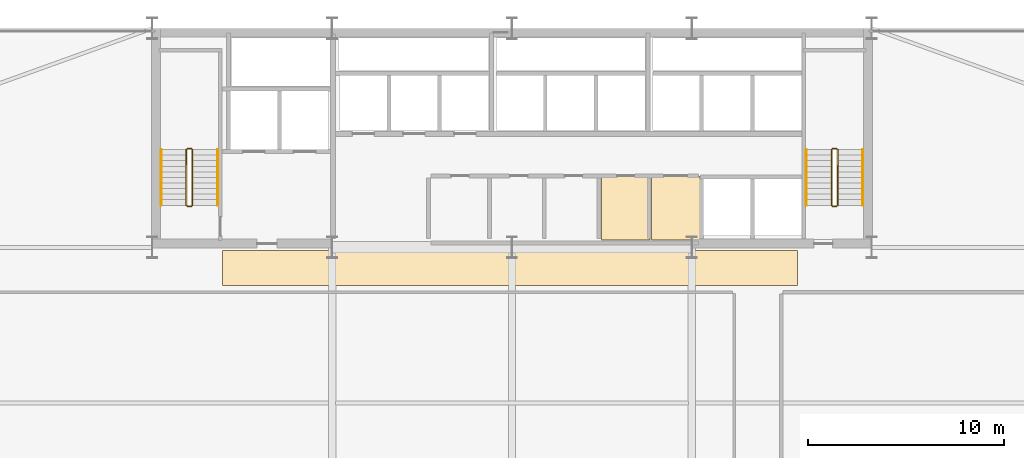
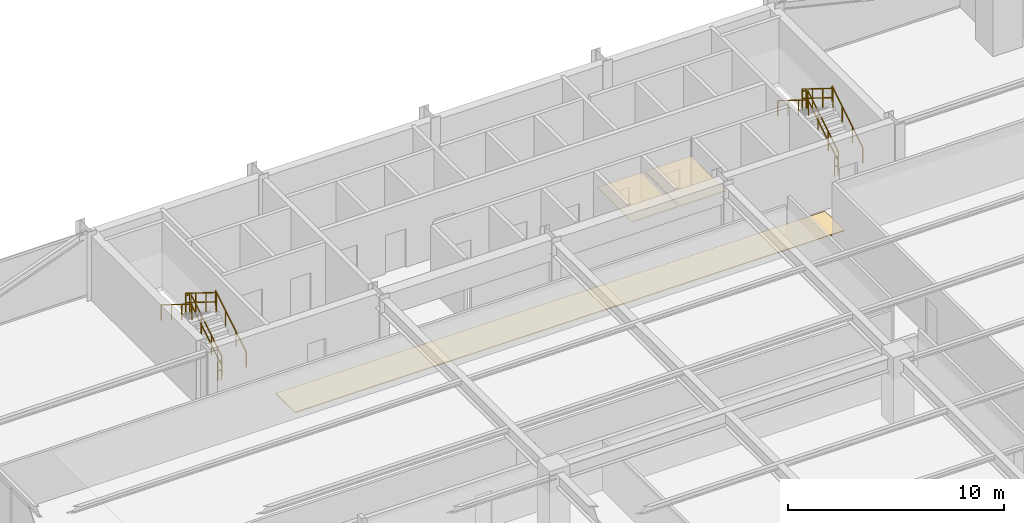
# One storey, part 31 of 31: 12 railings, 3 coverings.
"""IFC4 building model written with IfcOpenShell, lengths in metres."""

from ifc_helpers import new_model, si_unit, direction, frame, origin, origin_2d, place, context, subcontext, project, spatial, polyline, rectangle, outline, extrude, material, layer, layer_set, type_object, element, save


model = new_model("IFC4")

# Units and contexts
model_context = context("Model", 3, precision=1e-05, world=origin(), true_north=direction((0.0, 1.0)))
body_context = subcontext(model_context, "Body", "Model", "MODEL_VIEW")
ifc_project = project(units=[si_unit("LENGTHUNIT", "METRE"), si_unit("AREAUNIT", "SQUARE_METRE"), si_unit("VOLUMEUNIT", "CUBIC_METRE"), si_unit("PLANEANGLEUNIT", "RADIAN"), si_unit("MASSUNIT", "GRAM", prefix="KILO")], contexts=[model_context])

# Site, building, storey
site_placement = place(None, origin())
site = spatial("IfcSite", under=ifc_project, at=site_placement, CompositionType="ELEMENT")
building_placement = place(site_placement, origin())
building = spatial("IfcBuilding", under=site, at=building_placement, Name="Varnel Quay Broadcast Tower", CompositionType="ELEMENT")
storey_placement = place(building_placement, frame((0.0, 0.0, 51.0)))
storey = spatial("IfcBuildingStorey", under=building, at=storey_placement, Name="L11", CompositionType="ELEMENT", Elevation=51.0)

# Coverings
ifc_material_1 = material(Name="Micro-Perforated Acoustic Ceiling Tile")
ifc_layer_1 = layer(ifc_material_1, 0.0400390625, Name="Micro-Perforated Acoustic Ceiling Tile")
ifc_layer_set_1 = layer_set([ifc_layer_1], Name="Micro-Perforated Acoustic Ceiling Tile")
covering_type_1 = type_object("IfcCoveringType", Name="Cov_AcousticCeiling", PredefinedType="CEILING", material=ifc_layer_set_1)
covering_1_placement = place(storey_placement, frame((0.0, 0.0, 2.580078125)))
element("IfcCovering", 1, at=covering_1_placement, inside=storey, type_object=covering_type_1, Name="L11 Cleaners' & Linen Store Acoustic Ceiling", PredefinedType="CEILING", context=body_context, shape_type="SweptSolid", body=[
    extrude(outline(polyline([(38.5849609375, 35.985107421875), (41.06494140625, 35.985107421875), (41.06494140625, 39.215087890625), (38.5849609375, 39.215087890625), (38.5849609375, 35.985107421875)])), origin(), (0.0, 0.0, 1.0), 0.0400390625),
])
covering_2_placement = place(storey_placement, frame((0.0, 0.0, 2.580078125)))
element("IfcCovering", 2, at=covering_2_placement, inside=storey, type_object=covering_type_1, Name="L11 Telecom IDF Closet Acoustic Ceiling", PredefinedType="CEILING", context=body_context, shape_type="SweptSolid", body=[
    extrude(outline(polyline([(41.135009765625, 35.985107421875), (43.614990234375, 35.985107421875), (43.614990234375, 39.215087890625), (41.135009765625, 39.215087890625), (41.135009765625, 35.985107421875)])), origin(), (0.0, 0.0, 1.0), 0.0400390625),
])
ifc_material_2 = material(Name="Polished Terrazzo & Broadcast Raised Flooring")
ifc_layer_2 = layer(ifc_material_2, 0.0400390625, Name="Polished Terrazzo & Broadcast Raised Flooring")
ifc_layer_set_2 = layer_set([ifc_layer_2], Name="Polished Terrazzo & Broadcast Raised Flooring")
covering_type_2 = type_object("IfcCoveringType", Name="Cov_TerrazzoFloor", PredefinedType="FLOORING", material=ifc_layer_set_2)
covering_3_placement = place(storey_placement, origin())
element("IfcCovering", 3, at=covering_3_placement, inside=storey, type_object=covering_type_2, Name="L11 Corridor Terrazzo Flooring", PredefinedType="FLOORING", context=body_context, shape_type="SweptSolid", body=[
    extrude(outline(polyline([(19.199951171875, 33.64990234375), (48.60009765625, 33.64990234375), (48.60009765625, 35.449951171875), (19.199951171875, 35.449951171875), (19.199951171875, 33.64990234375)])), origin(), (0.0, 0.0, 1.0), 0.0400390625),
])

# Railings
ifc_material_3 = material(Name="Painted Steel Guard and Handrail CSA G40.21 350W", Category="steel")
railing_type_1 = type_object("IfcRailingType", Name="Rail_StairGuard1100", PredefinedType="GUARDRAIL", material=ifc_material_3)
railing_1_placement = place(storey_placement, frame((17.64990234375, 37.75, 0.17724609375)))
element("IfcRailing", 4, at=railing_1_placement, inside=storey, type_object=railing_type_1, Name="L11 ST-01 stair guard 1", PredefinedType="GUARDRAIL", context=body_context, shape_type="SweptSolid", body=[
    extrude(rectangle(XDim=0.048095703125, YDim=0.048095703125, at=origin_2d()), frame((0.0, 0.0, 1.076171875), z_axis=(0.0, 0.849148672731, 0.528153890072), x_axis=(-1.0, 0.0, 0.0)), (0.0, 0.0, 1.0), 3.3564453125),
    extrude(rectangle(XDim=0.048095703125, YDim=0.048095703125, at=origin_2d()), frame((0.0, 0.0, 0.550048828125), z_axis=(0.0, 0.849148672731, 0.528153890072), x_axis=(-1.0, 0.0, 0.0)), (0.0, 0.0, 1.0), 3.3564453125),
    extrude(rectangle(XDim=0.0419921875, YDim=0.0419921875, at=origin_2d()), origin(), (0.0, 0.0, 1.0), 1.052001953125),
    extrude(rectangle(XDim=0.0419921875, YDim=0.0419921875, at=origin_2d()), frame((0.0, 0.949951171875, 0.5908203125)), (0.0, 0.0, 1.0), 1.052001953125),
    extrude(rectangle(XDim=0.0419921875, YDim=0.0419921875, at=origin_2d()), frame((0.0, 1.900146484375, 1.181884765625)), (0.0, 0.0, 1.0), 1.052001953125),
    extrude(rectangle(XDim=0.0419921875, YDim=0.0419921875, at=origin_2d()), frame((0.0, 2.85009765625, 1.772705078125)), (0.0, 0.0, 1.0), 1.052001953125),
])
railing_2_placement = place(storey_placement, frame((17.60009765625, 40.64990234375, 1.949951171875)))
element("IfcRailing", 5, at=railing_2_placement, inside=storey, type_object=railing_type_1, Name="L11 ST-01 stair guard 2", PredefinedType="GUARDRAIL", context=body_context, shape_type="SweptSolid", body=[
    extrude(rectangle(XDim=0.048095703125, YDim=0.048095703125, at=origin_2d()), frame((0.0, 0.0, 1.076171875), z_axis=(-1.0, 0.0, 0.0), x_axis=(0.0, -1.0, 0.0)), (0.0, 0.0, 1.0), 0.2001953125),
    extrude(rectangle(XDim=0.048095703125, YDim=0.048095703125, at=origin_2d()), frame((0.0, 0.0, 0.550048828125), z_axis=(-1.0, 0.0, 0.0), x_axis=(0.0, -1.0, 0.0)), (0.0, 0.0, 1.0), 0.2001953125),
    extrude(rectangle(XDim=0.0419921875, YDim=0.0419921875, at=origin_2d()), origin(), (0.0, 0.0, 1.0), 1.052001953125),
    extrude(rectangle(XDim=0.0419921875, YDim=0.0419921875, at=origin_2d()), frame((-0.2001953125, 0.0, 0.0)), (0.0, 0.0, 1.0), 1.052001953125),
])
railing_3_placement = place(storey_placement, frame((17.35009765625, 40.60009765625, 2.127197265625)))
element("IfcRailing", 6, at=railing_3_placement, inside=storey, type_object=railing_type_1, Name="L11 ST-01 stair guard 3", PredefinedType="GUARDRAIL", context=body_context, shape_type="SweptSolid", body=[
    extrude(rectangle(XDim=0.048095703125, YDim=0.048095703125, at=origin_2d()), frame((0.0, 0.0, 1.076171875), z_axis=(0.0, -0.849148672731, 0.528153890072), x_axis=(1.0, 0.0, 0.0)), (0.0, 0.0, 1.0), 3.3564453125),
    extrude(rectangle(XDim=0.048095703125, YDim=0.048095703125, at=origin_2d()), frame((0.0, 0.0, 0.550048828125), z_axis=(0.0, -0.849148672731, 0.528153890072), x_axis=(1.0, 0.0, 0.0)), (0.0, 0.0, 1.0), 3.3564453125),
    extrude(rectangle(XDim=0.0419921875, YDim=0.0419921875, at=origin_2d()), origin(), (0.0, 0.0, 1.0), 1.052001953125),
    extrude(rectangle(XDim=0.0419921875, YDim=0.0419921875, at=origin_2d()), frame((0.0, -0.949951171875, 0.5908203125)), (0.0, 0.0, 1.0), 1.052001953125),
    extrude(rectangle(XDim=0.0419921875, YDim=0.0419921875, at=origin_2d()), frame((0.0, -1.900146484375, 1.181884765625)), (0.0, 0.0, 1.0), 1.052001953125),
    extrude(rectangle(XDim=0.0419921875, YDim=0.0419921875, at=origin_2d()), frame((0.0, -2.85009765625, 1.772705078125)), (0.0, 0.0, 1.0), 1.052001953125),
])
railing_4_placement = place(storey_placement, frame((17.60009765625, 37.699951171875, 0.0)))
element("IfcRailing", 7, at=railing_4_placement, inside=storey, type_object=railing_type_1, Name="L11 ST-01 stair guard 4", PredefinedType="GUARDRAIL", context=body_context, shape_type="SweptSolid", body=[
    extrude(rectangle(XDim=0.048095703125, YDim=0.048095703125, at=origin_2d()), frame((0.0, 0.0, 1.076171875), z_axis=(-1.0, 0.0, 0.0), x_axis=(0.0, -1.0, 0.0)), (0.0, 0.0, 1.0), 0.2001953125),
    extrude(rectangle(XDim=0.048095703125, YDim=0.048095703125, at=origin_2d()), frame((0.0, 0.0, 0.550048828125), z_axis=(-1.0, 0.0, 0.0), x_axis=(0.0, -1.0, 0.0)), (0.0, 0.0, 1.0), 0.2001953125),
    extrude(rectangle(XDim=0.0419921875, YDim=0.0419921875, at=origin_2d()), origin(), (0.0, 0.0, 1.0), 1.052001953125),
    extrude(rectangle(XDim=0.0419921875, YDim=0.0419921875, at=origin_2d()), frame((-0.2001953125, 0.0, 0.0)), (0.0, 0.0, 1.0), 1.052001953125),
])
railing_5_placement = place(storey_placement, frame((50.64990234375, 37.75, 0.17724609375)))
element("IfcRailing", 8, at=railing_5_placement, inside=storey, type_object=railing_type_1, Name="L11 ST-02 stair guard 1", PredefinedType="GUARDRAIL", context=body_context, shape_type="SweptSolid", body=[
    extrude(rectangle(XDim=0.048095703125, YDim=0.048095703125, at=origin_2d()), frame((0.0, 0.0, 1.076171875), z_axis=(0.0, 0.849148672731, 0.528153890072), x_axis=(-1.0, 0.0, 0.0)), (0.0, 0.0, 1.0), 3.3564453125),
    extrude(rectangle(XDim=0.048095703125, YDim=0.048095703125, at=origin_2d()), frame((0.0, 0.0, 0.550048828125), z_axis=(0.0, 0.849148672731, 0.528153890072), x_axis=(-1.0, 0.0, 0.0)), (0.0, 0.0, 1.0), 3.3564453125),
    extrude(rectangle(XDim=0.0419921875, YDim=0.0419921875, at=origin_2d()), origin(), (0.0, 0.0, 1.0), 1.052001953125),
    extrude(rectangle(XDim=0.0419921875, YDim=0.0419921875, at=origin_2d()), frame((0.0, 0.949951171875, 0.5908203125)), (0.0, 0.0, 1.0), 1.052001953125),
    extrude(rectangle(XDim=0.0419921875, YDim=0.0419921875, at=origin_2d()), frame((0.0, 1.900146484375, 1.181884765625)), (0.0, 0.0, 1.0), 1.052001953125),
    extrude(rectangle(XDim=0.0419921875, YDim=0.0419921875, at=origin_2d()), frame((0.0, 2.85009765625, 1.772705078125)), (0.0, 0.0, 1.0), 1.052001953125),
])
railing_6_placement = place(storey_placement, frame((50.60009765625, 40.64990234375, 1.949951171875)))
element("IfcRailing", 9, at=railing_6_placement, inside=storey, type_object=railing_type_1, Name="L11 ST-02 stair guard 2", PredefinedType="GUARDRAIL", context=body_context, shape_type="SweptSolid", body=[
    extrude(rectangle(XDim=0.048095703125, YDim=0.048095703125, at=origin_2d()), frame((0.0, 0.0, 1.076171875), z_axis=(-1.0, 0.0, 0.0), x_axis=(0.0, -1.0, 0.0)), (0.0, 0.0, 1.0), 0.2001953125),
    extrude(rectangle(XDim=0.048095703125, YDim=0.048095703125, at=origin_2d()), frame((0.0, 0.0, 0.550048828125), z_axis=(-1.0, 0.0, 0.0), x_axis=(0.0, -1.0, 0.0)), (0.0, 0.0, 1.0), 0.2001953125),
    extrude(rectangle(XDim=0.0419921875, YDim=0.0419921875, at=origin_2d()), origin(), (0.0, 0.0, 1.0), 1.052001953125),
    extrude(rectangle(XDim=0.0419921875, YDim=0.0419921875, at=origin_2d()), frame((-0.2001953125, 0.0, 0.0)), (0.0, 0.0, 1.0), 1.052001953125),
])
railing_7_placement = place(storey_placement, frame((50.35009765625, 40.60009765625, 2.127197265625)))
element("IfcRailing", 10, at=railing_7_placement, inside=storey, type_object=railing_type_1, Name="L11 ST-02 stair guard 3", PredefinedType="GUARDRAIL", context=body_context, shape_type="SweptSolid", body=[
    extrude(rectangle(XDim=0.048095703125, YDim=0.048095703125, at=origin_2d()), frame((0.0, 0.0, 1.076171875), z_axis=(0.0, -0.849148672731, 0.528153890072), x_axis=(1.0, 0.0, 0.0)), (0.0, 0.0, 1.0), 3.3564453125),
    extrude(rectangle(XDim=0.048095703125, YDim=0.048095703125, at=origin_2d()), frame((0.0, 0.0, 0.550048828125), z_axis=(0.0, -0.849148672731, 0.528153890072), x_axis=(1.0, 0.0, 0.0)), (0.0, 0.0, 1.0), 3.3564453125),
    extrude(rectangle(XDim=0.0419921875, YDim=0.0419921875, at=origin_2d()), origin(), (0.0, 0.0, 1.0), 1.052001953125),
    extrude(rectangle(XDim=0.0419921875, YDim=0.0419921875, at=origin_2d()), frame((0.0, -0.949951171875, 0.5908203125)), (0.0, 0.0, 1.0), 1.052001953125),
    extrude(rectangle(XDim=0.0419921875, YDim=0.0419921875, at=origin_2d()), frame((0.0, -1.900146484375, 1.181884765625)), (0.0, 0.0, 1.0), 1.052001953125),
    extrude(rectangle(XDim=0.0419921875, YDim=0.0419921875, at=origin_2d()), frame((0.0, -2.85009765625, 1.772705078125)), (0.0, 0.0, 1.0), 1.052001953125),
])
railing_8_placement = place(storey_placement, frame((50.60009765625, 37.699951171875, 0.0)))
element("IfcRailing", 11, at=railing_8_placement, inside=storey, type_object=railing_type_1, Name="L11 ST-02 stair guard 4", PredefinedType="GUARDRAIL", context=body_context, shape_type="SweptSolid", body=[
    extrude(rectangle(XDim=0.048095703125, YDim=0.048095703125, at=origin_2d()), frame((0.0, 0.0, 1.076171875), z_axis=(-1.0, 0.0, 0.0), x_axis=(0.0, -1.0, 0.0)), (0.0, 0.0, 1.0), 0.2001953125),
    extrude(rectangle(XDim=0.048095703125, YDim=0.048095703125, at=origin_2d()), frame((0.0, 0.0, 0.550048828125), z_axis=(-1.0, 0.0, 0.0), x_axis=(0.0, -1.0, 0.0)), (0.0, 0.0, 1.0), 0.2001953125),
    extrude(rectangle(XDim=0.0419921875, YDim=0.0419921875, at=origin_2d()), origin(), (0.0, 0.0, 1.0), 1.052001953125),
    extrude(rectangle(XDim=0.0419921875, YDim=0.0419921875, at=origin_2d()), frame((-0.2001953125, 0.0, 0.0)), (0.0, 0.0, 1.0), 1.052001953125),
])
railing_type_2 = type_object("IfcRailingType", Name="Rail_StairHandrail900", PredefinedType="HANDRAIL", material=ifc_material_3)
railing_9_placement = place(storey_placement, frame((18.949951171875, 37.75, 0.17724609375)))
element("IfcRailing", 12, at=railing_9_placement, inside=storey, type_object=railing_type_2, Name="L11 ST-01 stair handrail 1", PredefinedType="HANDRAIL", context=body_context, shape_type="SweptSolid", body=[
    extrude(rectangle(XDim=0.048095703125, YDim=0.048095703125, at=origin_2d()), frame((0.0, 0.0, 0.8759765625), z_axis=(0.0, 0.849148672731, 0.528153890072), x_axis=(-1.0, 0.0, 0.0)), (0.0, 0.0, 1.0), 3.3564453125),
    extrude(rectangle(XDim=0.0419921875, YDim=0.0419921875, at=origin_2d()), origin(), (0.0, 0.0, 1.0), 0.851806640625),
    extrude(rectangle(XDim=0.0419921875, YDim=0.0419921875, at=origin_2d()), frame((0.0, 0.949951171875, 0.5908203125)), (0.0, 0.0, 1.0), 0.851806640625),
    extrude(rectangle(XDim=0.0419921875, YDim=0.0419921875, at=origin_2d()), frame((0.0, 1.900146484375, 1.181884765625)), (0.0, 0.0, 1.0), 0.851806640625),
    extrude(rectangle(XDim=0.0419921875, YDim=0.0419921875, at=origin_2d()), frame((0.0, 2.85009765625, 1.772705078125)), (0.0, 0.0, 1.0), 0.851806640625),
])
railing_10_placement = place(storey_placement, frame((16.050048828125, 40.60009765625, 2.127197265625)))
element("IfcRailing", 13, at=railing_10_placement, inside=storey, type_object=railing_type_2, Name="L11 ST-01 stair handrail 2", PredefinedType="HANDRAIL", context=body_context, shape_type="SweptSolid", body=[
    extrude(rectangle(XDim=0.048095703125, YDim=0.048095703125, at=origin_2d()), frame((0.0, 0.0, 0.8759765625), z_axis=(0.0, -0.849148672731, 0.528153890072), x_axis=(1.0, 0.0, 0.0)), (0.0, 0.0, 1.0), 3.3564453125),
    extrude(rectangle(XDim=0.0419921875, YDim=0.0419921875, at=origin_2d()), origin(), (0.0, 0.0, 1.0), 0.851806640625),
    extrude(rectangle(XDim=0.0419921875, YDim=0.0419921875, at=origin_2d()), frame((0.0, -0.949951171875, 0.5908203125)), (0.0, 0.0, 1.0), 0.851806640625),
    extrude(rectangle(XDim=0.0419921875, YDim=0.0419921875, at=origin_2d()), frame((0.0, -1.900146484375, 1.181884765625)), (0.0, 0.0, 1.0), 0.851806640625),
    extrude(rectangle(XDim=0.0419921875, YDim=0.0419921875, at=origin_2d()), frame((0.0, -2.85009765625, 1.772705078125)), (0.0, 0.0, 1.0), 0.851806640625),
])
railing_11_placement = place(storey_placement, frame((51.949951171875, 37.75, 0.17724609375)))
element("IfcRailing", 14, at=railing_11_placement, inside=storey, type_object=railing_type_2, Name="L11 ST-02 stair handrail 1", PredefinedType="HANDRAIL", context=body_context, shape_type="SweptSolid", body=[
    extrude(rectangle(XDim=0.048095703125, YDim=0.048095703125, at=origin_2d()), frame((0.0, 0.0, 0.8759765625), z_axis=(0.0, 0.849148672731, 0.528153890072), x_axis=(-1.0, 0.0, 0.0)), (0.0, 0.0, 1.0), 3.3564453125),
    extrude(rectangle(XDim=0.0419921875, YDim=0.0419921875, at=origin_2d()), origin(), (0.0, 0.0, 1.0), 0.851806640625),
    extrude(rectangle(XDim=0.0419921875, YDim=0.0419921875, at=origin_2d()), frame((0.0, 0.949951171875, 0.5908203125)), (0.0, 0.0, 1.0), 0.851806640625),
    extrude(rectangle(XDim=0.0419921875, YDim=0.0419921875, at=origin_2d()), frame((0.0, 1.900146484375, 1.181884765625)), (0.0, 0.0, 1.0), 0.851806640625),
    extrude(rectangle(XDim=0.0419921875, YDim=0.0419921875, at=origin_2d()), frame((0.0, 2.85009765625, 1.772705078125)), (0.0, 0.0, 1.0), 0.851806640625),
])
railing_12_placement = place(storey_placement, frame((49.050048828125, 40.60009765625, 2.127197265625)))
element("IfcRailing", 15, at=railing_12_placement, inside=storey, type_object=railing_type_2, Name="L11 ST-02 stair handrail 2", PredefinedType="HANDRAIL", context=body_context, shape_type="SweptSolid", body=[
    extrude(rectangle(XDim=0.048095703125, YDim=0.048095703125, at=origin_2d()), frame((0.0, 0.0, 0.8759765625), z_axis=(0.0, -0.849148672731, 0.528153890072), x_axis=(1.0, 0.0, 0.0)), (0.0, 0.0, 1.0), 3.3564453125),
    extrude(rectangle(XDim=0.0419921875, YDim=0.0419921875, at=origin_2d()), origin(), (0.0, 0.0, 1.0), 0.851806640625),
    extrude(rectangle(XDim=0.0419921875, YDim=0.0419921875, at=origin_2d()), frame((0.0, -0.949951171875, 0.5908203125)), (0.0, 0.0, 1.0), 0.851806640625),
    extrude(rectangle(XDim=0.0419921875, YDim=0.0419921875, at=origin_2d()), frame((0.0, -1.900146484375, 1.181884765625)), (0.0, 0.0, 1.0), 0.851806640625),
    extrude(rectangle(XDim=0.0419921875, YDim=0.0419921875, at=origin_2d()), frame((0.0, -2.85009765625, 1.772705078125)), (0.0, 0.0, 1.0), 0.851806640625),
])

save(model, "model.ifc")
